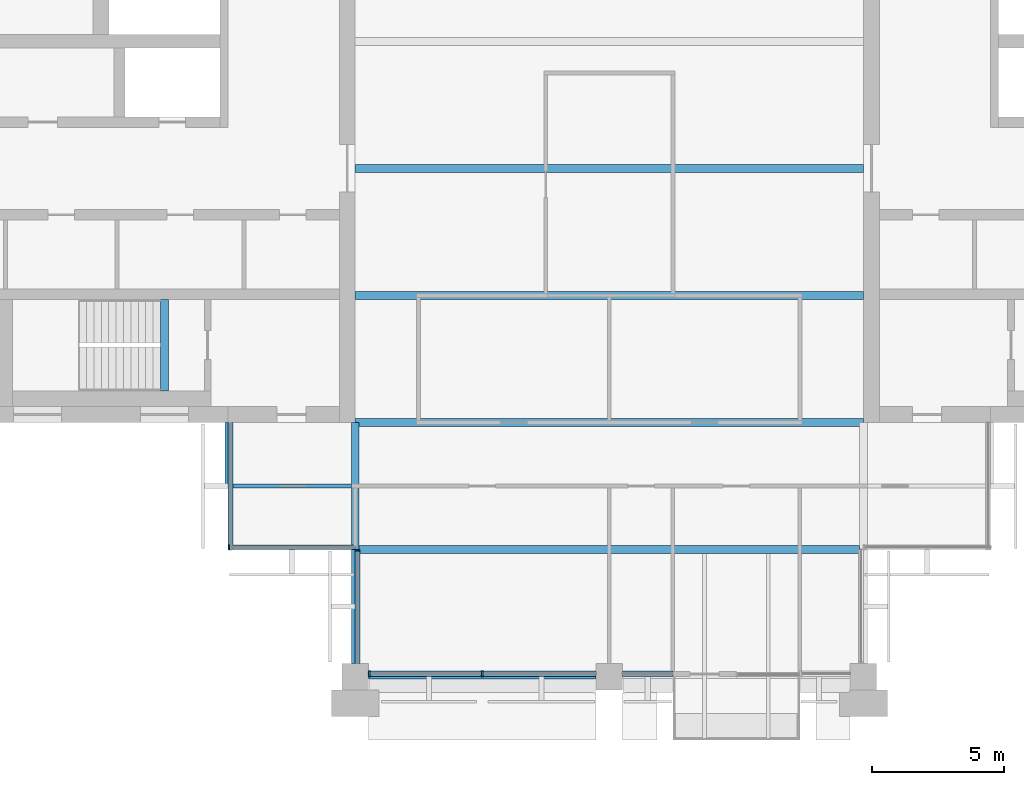
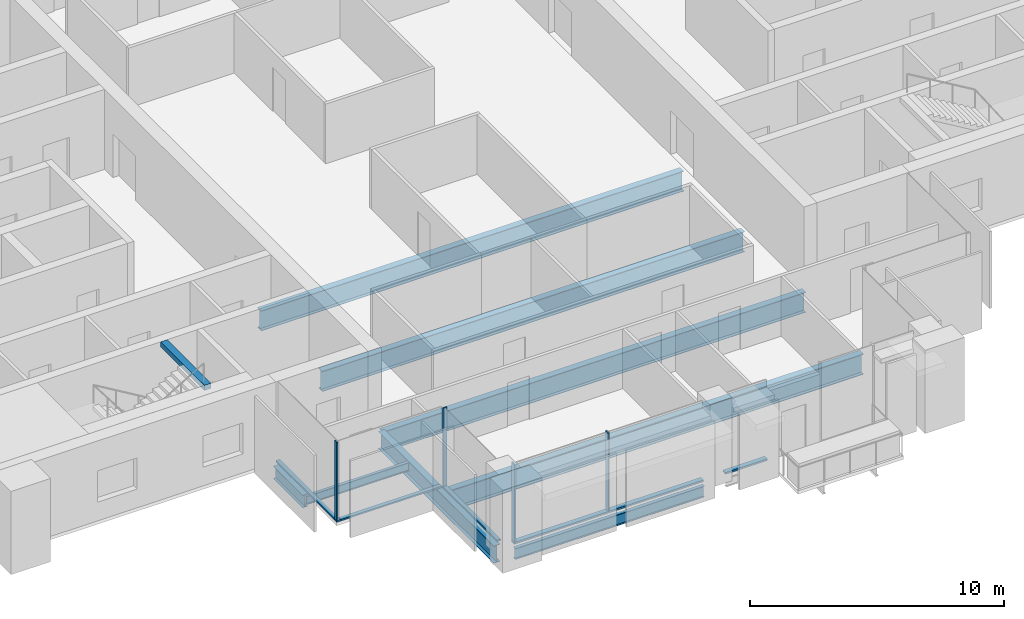
# One storey, part 2 of 13: 9 beams, 9 members, 4 elements without a shape of their own.
"""IFC4 building model written with IfcOpenShell, lengths in metres."""

from ifc_helpers import new_model, si_unit, direction, frame, origin, origin_2d, place, context, subcontext, project, spatial, rectangle, i_section, extrude, material, material_profile, profile_set, type_object, element, aggregate, save


model = new_model("IFC4")

# Units and contexts
model_context = context("Model", 3, precision=1e-05, world=origin(), true_north=direction((0.0, 1.0)))
body_context = subcontext(model_context, "Body", "Model", "MODEL_VIEW")
ifc_project = project(units=[si_unit("LENGTHUNIT", "METRE"), si_unit("AREAUNIT", "SQUARE_METRE"), si_unit("VOLUMEUNIT", "CUBIC_METRE"), si_unit("PLANEANGLEUNIT", "RADIAN"), si_unit("MASSUNIT", "GRAM", prefix="KILO")], contexts=[model_context])

# Site, building, storey
site_placement = place(None, origin())
site = spatial("IfcSite", under=ifc_project, at=site_placement, CompositionType="ELEMENT")
building_placement = place(site_placement, origin())
building = spatial("IfcBuilding", under=site, at=building_placement, Name="Baori Bourse Tower", CompositionType="ELEMENT")
storey_placement = place(building_placement, frame((0.0, 0.0, 302.300048828125)))
storey = spatial("IfcBuildingStorey", under=building, at=storey_placement, Name="L66", CompositionType="ELEMENT", Elevation=302.300048828125)

# Curtain wall, member
ifc_material_1 = material(Name="Pale anodised aluminium", Category="aluminium")
curtain_wall_type_1 = type_object("IfcCurtainWallType", Name="CW2 Curtain wall", PredefinedType="NOTDEFINED", material=ifc_material_1)
curtain_wall_1_placement = place(storey_placement, origin())
curtain_wall_1 = element("IfcCurtainWall", 1, at=curtain_wall_1_placement, inside=storey, type_object=curtain_wall_type_1, Name="Curtain wall CW2 L66 11", PredefinedType="NOTDEFINED")
ifc_material_2 = material(Name="Pale anodised aluminium", Category="aluminium")
ifc_material_profile_1 = material_profile(ifc_material_2, rectangle(XDim=0.179931640625, YDim=0.054931640625, at=origin_2d()), Name="Mullion 55x180")
ifc_profile_set_1 = profile_set([ifc_material_profile_1], Name="Pale anodised aluminium")
member_type_1 = type_object("IfcMemberType", Name="CW2 Curtain wall mullion", PredefinedType="MULLION", material=ifc_profile_set_1)
member_1_placement = place(storey_placement, frame((14.427490234375, 4.889892578125, 0.070068359375), z_axis=(0.0, 0.0, 1.0), x_axis=(0.0, 1.0, 0.0)))
member_1 = element("IfcMember", 2, at=member_1_placement, type_object=member_type_1, Name="Curtain wall CW2 mullion", PredefinedType="MULLION", context=body_context, shape_type="SweptSolid", body=[
    extrude(rectangle(XDim=0.179931640625, YDim=0.054931640625, at=origin_2d()), origin(), (0.0, 0.0, 1.0), 3.769775390625),
])

curtain_wall_2_placement = place(storey_placement, origin())
curtain_wall_2 = element("IfcCurtainWall", 3, at=curtain_wall_2_placement, inside=storey, type_object=curtain_wall_type_1, Name="Curtain wall CW2 L66 12", PredefinedType="NOTDEFINED")
member_2_placement = place(storey_placement, frame((19.2900390625, 4.7724609375, 0.070068359375), z_axis=(0.0, 0.0, 1.0), x_axis=(1.0, 0.0, 0.0)))
member_2 = element("IfcMember", 4, at=member_2_placement, type_object=member_type_1, Name="Curtain wall CW2 mullion", PredefinedType="MULLION", context=body_context, shape_type="SweptSolid", body=[
    extrude(rectangle(XDim=0.179931640625, YDim=0.054931640625, at=origin_2d()), origin(), (0.0, 0.0, 1.0), 3.769775390625),
])

curtain_wall_3_placement = place(storey_placement, origin())
curtain_wall_3 = element("IfcCurtainWall", 5, at=curtain_wall_3_placement, inside=storey, type_object=curtain_wall_type_1, Name="Curtain wall CW2 L66 10", PredefinedType="NOTDEFINED")
ifc_material_3 = material(Name="Pale anodised aluminium", Category="aluminium")
ifc_material_profile_2 = material_profile(ifc_material_3, rectangle(XDim=0.179931640625, YDim=0.070068359375, at=origin_2d()), Name="Transom 70x180")
ifc_profile_set_2 = profile_set([ifc_material_profile_2], Name="Pale anodised aluminium")
member_type_2 = type_object("IfcMemberType", Name="CW2 Curtain wall transom", PredefinedType="USERDEFINED", material=ifc_profile_set_2)
member_3_placement = place(storey_placement, frame((14.489990234375, 9.60009765625, 0.034912109375), z_axis=(0.0, -1.0, 0.0), x_axis=(1.0, 0.0, 0.0)))
member_3 = element("IfcMember", 6, at=member_3_placement, type_object=member_type_2, Name="Curtain wall CW2 sill rail", ObjectType="TRANSOM", PredefinedType="USERDEFINED", context=body_context, shape_type="SweptSolid", body=[
    extrude(rectangle(XDim=0.179931640625, YDim=0.070068359375, at=origin_2d()), origin(), (0.0, 0.0, 1.0), 4.800048828125),
])
aggregate(curtain_wall_3, [member_3])

# Member
member_4_placement = place(storey_placement, frame((14.39990234375, 4.889892578125, 0.034912109375), z_axis=(1.0, 0.0, 0.0), x_axis=(0.0, 1.0, 0.0)))
member_4 = element("IfcMember", 7, at=member_4_placement, type_object=member_type_2, Name="Curtain wall CW2 sill rail", ObjectType="TRANSOM", PredefinedType="USERDEFINED", context=body_context, shape_type="SweptSolid", body=[
    extrude(rectangle(XDim=0.179931640625, YDim=0.070068359375, at=origin_2d()), origin(), (0.0, 0.0, 1.0), 4.800048828125),
])

aggregate(curtain_wall_1, [member_4, member_1])

member_5_placement = place(storey_placement, frame((19.2900390625, 4.800048828125, 0.034912109375), z_axis=(0.0, -1.0, 0.0), x_axis=(1.0, 0.0, 0.0)))
member_5 = element("IfcMember", 8, at=member_5_placement, type_object=member_type_2, Name="Curtain wall CW2 sill rail", ObjectType="TRANSOM", PredefinedType="USERDEFINED", context=body_context, shape_type="SweptSolid", body=[
    extrude(rectangle(XDim=0.179931640625, YDim=0.070068359375, at=origin_2d()), origin(), (0.0, 0.0, 1.0), 4.300048828125),
])

aggregate(curtain_wall_2, [member_5, member_2])

# Curtain wall, members
ifc_material_4 = material(Name="Pale anodised aluminium", Category="aluminium")
curtain_wall_type_2 = type_object("IfcCurtainWallType", Name="CW5 Curtain wall", PredefinedType="NOTDEFINED", material=ifc_material_4)
curtain_wall_4_placement = place(storey_placement, origin())
curtain_wall_4 = element("IfcCurtainWall", 9, at=curtain_wall_4_placement, inside=storey, type_object=curtain_wall_type_2, Name="Curtain wall CW5 L66 13", PredefinedType="NOTDEFINED")
ifc_material_5 = material(Name="Pale anodised aluminium", Category="aluminium")
ifc_material_profile_3 = material_profile(ifc_material_5, rectangle(XDim=0.219970703125, YDim=0.06494140625, at=origin_2d()), Name="Mullion 65x220")
ifc_profile_set_3 = profile_set([ifc_material_profile_3], Name="Pale anodised aluminium")
member_type_3 = type_object("IfcMemberType", Name="CW5 Curtain wall mullion", PredefinedType="MULLION", material=ifc_profile_set_3)
member_6_placement = place(storey_placement, frame((19.732421875, 0.110107421875, 0.0849609375), z_axis=(0.0, 0.0, 1.0), x_axis=(0.0, 1.0, 0.0)))
member_6 = element("IfcMember", 10, at=member_6_placement, type_object=member_type_3, Name="Curtain wall CW5 mullion", PredefinedType="MULLION", context=body_context, shape_type="SweptSolid", body=[
    extrude(rectangle(XDim=0.219970703125, YDim=0.06494140625, at=origin_2d()), origin(), (0.0, 0.0, 1.0), 3.7548828125),
])
member_7_placement = place(storey_placement, frame((24.0, 0.110107421875, 0.0849609375), z_axis=(0.0, 0.0, 1.0), x_axis=(0.0, 1.0, 0.0)))
member_7 = element("IfcMember", 11, at=member_7_placement, type_object=member_type_3, Name="Curtain wall CW5 mullion", PredefinedType="MULLION", context=body_context, shape_type="SweptSolid", body=[
    extrude(rectangle(XDim=0.219970703125, YDim=0.06494140625, at=origin_2d()), origin(), (0.0, 0.0, 1.0), 3.7548828125),
])
ifc_material_6 = material(Name="Pale anodised aluminium", Category="aluminium")
ifc_material_profile_4 = material_profile(ifc_material_6, rectangle(XDim=0.219970703125, YDim=0.0849609375, at=origin_2d()), Name="Transom 85x220")
ifc_profile_set_4 = profile_set([ifc_material_profile_4], Name="Pale anodised aluminium")
member_type_4 = type_object("IfcMemberType", Name="CW5 Curtain wall transom", PredefinedType="USERDEFINED", material=ifc_profile_set_4)
member_8_placement = place(storey_placement, frame((19.699951171875, 0.110107421875, 0.04248046875), z_axis=(1.0, 0.0, 0.0), x_axis=(0.0, 1.0, 0.0)))
member_8 = element("IfcMember", 12, at=member_8_placement, type_object=member_type_4, Name="Curtain wall CW5 sill rail", ObjectType="TRANSOM", PredefinedType="USERDEFINED", context=body_context, shape_type="SweptSolid", body=[
    extrude(rectangle(XDim=0.219970703125, YDim=0.0849609375, at=origin_2d()), origin(), (0.0, 0.0, 1.0), 8.60009765625),
])
member_9_placement = place(storey_placement, frame((29.300048828125, 0.110107421875, 0.04248046875), z_axis=(1.0, 0.0, 0.0), x_axis=(0.0, 1.0, 0.0)))
member_9 = element("IfcMember", 13, at=member_9_placement, type_object=member_type_4, Name="Curtain wall CW5 sill rail", ObjectType="TRANSOM", PredefinedType="USERDEFINED", context=body_context, shape_type="SweptSolid", body=[
    extrude(rectangle(XDim=0.219970703125, YDim=0.0849609375, at=origin_2d()), origin(), (0.0, 0.0, 1.0), 1.89990234375),
])
aggregate(curtain_wall_4, [member_8, member_6, member_7, member_9])

# Beams
ifc_material_7 = material(Name="Steel A992 Gr 50", Category="steel")
ifc_material_profile_5 = material_profile(ifc_material_7, i_section(OverallWidth=0.227783203125, OverallDepth=0.60205078125, WebThickness=0.010498046875, FlangeThickness=0.014892578125, at=origin_2d()), Name="W24x68")
ifc_profile_set_5 = profile_set([ifc_material_profile_5], Name="Steel A992 Gr 50")
beam_type_1 = type_object("IfcBeamType", Name="Core bracket W24x68", PredefinedType="BEAM", material=ifc_profile_set_5)
beam_1_placement = place(storey_placement, frame((14.39990234375, 7.270263671875, -0.4609375), z_axis=(0.0, 1.0, 0.0), x_axis=(-1.0, 0.0, 0.0)))
element("IfcBeam", 14, at=beam_1_placement, inside=storey, type_object=beam_type_1, Name="Core bracket L66", PredefinedType="BEAM", context=body_context, shape_type="SweptSolid", body=[
    extrude(i_section(OverallWidth=0.227783203125, OverallDepth=0.60205078125, WebThickness=0.010498046875, FlangeThickness=0.014892578125, at=origin_2d()), origin(), (0.0, 0.0, 1.0), 2.329833984375),
])
ifc_material_8 = material(Name="Steel A992 Gr 50", Category="steel")
ifc_material_profile_6 = material_profile(ifc_material_8, i_section(OverallWidth=0.1650390625, OverallDepth=0.52587890625, WebThickness=0.0087890625, FlangeThickness=0.011474609375, at=origin_2d()), Name="W21x44")
ifc_profile_set_6 = profile_set([ifc_material_profile_6], Name="Steel A992 Gr 50")
beam_type_2 = type_object("IfcBeamType", Name="Edge beam W21x44", PredefinedType="BEAM", material=ifc_profile_set_6)
beam_2_placement = place(storey_placement, frame((19.699951171875, 0.0, -0.4228515625), z_axis=(1.0, 0.0, 0.0), x_axis=(0.0, 1.0, 0.0)))
element("IfcBeam", 15, at=beam_2_placement, inside=storey, type_object=beam_type_2, Name="Edge beam L66", PredefinedType="BEAM", context=body_context, shape_type="SweptSolid", body=[
    extrude(i_section(OverallWidth=0.1650390625, OverallDepth=0.52587890625, WebThickness=0.0087890625, FlangeThickness=0.011474609375, at=origin_2d()), origin(), (0.0, 0.0, 1.0), 8.60009765625),
])
ifc_material_9 = material(Name="Steel A992 Gr 50", Category="steel")
ifc_material_profile_7 = material_profile(ifc_material_9, i_section(OverallWidth=0.2998046875, OverallDepth=0.97021484375, WebThickness=0.01611328125, FlangeThickness=0.02099609375, at=origin_2d()), Name="W40x149")
ifc_profile_set_7 = profile_set([ifc_material_profile_7], Name="Steel A992 Gr 50")
beam_type_3 = type_object("IfcBeamType", Name="Floor beam W40x149", PredefinedType="BEAM", material=ifc_profile_set_7)
for number, where, z_axis, x_axis, name in (
    (16, (19.199951171875, 9.60009765625, -0.645263671875), (1.0, 0.0, 0.0), (0.0, 1.0, 0.0), "Floor beam L66"),
    (17, (19.199951171875, 14.39990234375, -0.645263671875), (1.0, 0.0, 0.0), (0.0, 1.0, 0.0), "Floor beam L66"),
    (18, (19.199951171875, 19.199951171875, -0.645263671875), (1.0, 0.0, 0.0), (0.0, 1.0, 0.0), "Floor beam L66"),
):
    element("IfcBeam", number, at=place(storey_placement, frame(where, z_axis=z_axis, x_axis=x_axis)), inside=storey, type_object=beam_type_3, Name=name, PredefinedType="BEAM", context=body_context, shape_type="SweptSolid", body=[
        extrude(i_section(OverallWidth=0.2998046875, OverallDepth=0.97021484375, WebThickness=0.01611328125, FlangeThickness=0.02099609375, at=origin_2d()), origin(), (0.0, 0.0, 1.0), 19.199951171875),
    ])
ifc_material_10 = material(Name="Steel A992 Gr 50", Category="steel")
ifc_material_profile_8 = material_profile(ifc_material_10, i_section(OverallWidth=0.2998046875, OverallDepth=0.990478515625, WebThickness=0.0166015625, FlangeThickness=0.030517578125, at=origin_2d()), Name="W40x183")
ifc_profile_set_8 = profile_set([ifc_material_profile_8], Name="Steel A992 Gr 50")
beam_type_4 = type_object("IfcBeamType", Name="Floor beam W40x183", PredefinedType="BEAM", material=ifc_profile_set_8)
beam_3_placement = place(storey_placement, frame((19.345947265625, 4.800048828125, -0.6552734375), z_axis=(1.0, 0.0, 0.0), x_axis=(0.0, 1.0, 0.0)))
element("IfcBeam", 19, at=beam_3_placement, inside=storey, type_object=beam_type_4, Name="Floor beam L66", PredefinedType="BEAM", context=body_context, shape_type="SweptSolid", body=[
    extrude(i_section(OverallWidth=0.2998046875, OverallDepth=0.990478515625, WebThickness=0.0166015625, FlangeThickness=0.030517578125, at=origin_2d()), origin(), (0.0, 0.0, 1.0), 18.901611328125),
])
ifc_material_11 = material(Name="Steel A992 Gr 50", Category="steel")
ifc_material_profile_9 = material_profile(ifc_material_11, i_section(OverallWidth=0.2919921875, OverallDepth=0.835693359375, WebThickness=0.013916015625, FlangeThickness=0.018798828125, at=origin_2d()), Name="W33x118")
ifc_profile_set_9 = profile_set([ifc_material_profile_9], Name="Steel A992 Gr 50")
beam_type_5 = type_object("IfcBeamType", Name="Girder W33x118", PredefinedType="BEAM", material=ifc_profile_set_9)
beam_4_placement = place(storey_placement, frame((19.199951171875, 0.5, -0.577880859375), z_axis=(0.0, 1.0, 0.0), x_axis=(-1.0, 0.0, 0.0)))
element("IfcBeam", 20, at=beam_4_placement, inside=storey, type_object=beam_type_5, Name="Girder L66", PredefinedType="BEAM", context=body_context, shape_type="SweptSolid", body=[
    extrude(i_section(OverallWidth=0.2919921875, OverallDepth=0.835693359375, WebThickness=0.013916015625, FlangeThickness=0.018798828125, at=origin_2d()), origin(), (0.0, 0.0, 1.0), 9.10009765625),
])
ifc_material_12 = material(Name="Concrete f'c 50 MPa", Category="concrete")
ifc_material_profile_10 = material_profile(ifc_material_12, rectangle(XDim=0.300048828125, YDim=0.25, at=origin_2d()), Name="RC 300x250")
ifc_profile_set_10 = profile_set([ifc_material_profile_10], Name="Concrete f'c 50 MPa")
beam_type_6 = type_object("IfcBeamType", Name="Stair nib beam RC 300x250", PredefinedType="BEAM", material=ifc_profile_set_10)
beam_5_placement = place(storey_placement, frame((12.0, 10.800048828125, 3.71484375), z_axis=(0.0, 1.0, 0.0), x_axis=(-1.0, 0.0, 0.0)))
element("IfcBeam", 21, at=beam_5_placement, inside=storey, type_object=beam_type_6, Name="Stair WA nib beam L67", PredefinedType="BEAM", context=body_context, shape_type="SweptSolid", body=[
    extrude(rectangle(XDim=0.300048828125, YDim=0.25, at=origin_2d()), origin(), (0.0, 0.0, 1.0), 3.449951171875),
])
ifc_material_13 = material(Name="Steel A992 Gr 50", Category="steel")
ifc_material_profile_11 = material_profile(ifc_material_13, i_section(OverallWidth=0.140380859375, OverallDepth=0.40380859375, WebThickness=0.007080078125, FlangeThickness=0.01123046875, at=origin_2d()), Name="W16x31")
ifc_profile_set_11 = profile_set([ifc_material_profile_11], Name="Steel A992 Gr 50")
beam_type_7 = type_object("IfcBeamType", Name="Trimmer beam W16x31", PredefinedType="BEAM", material=ifc_profile_set_11)
beam_6_placement = place(storey_placement, frame((14.39990234375, 7.199951171875, -0.362060546875), z_axis=(1.0, 0.0, 0.0), x_axis=(0.0, 1.0, 0.0)))
element("IfcBeam", 22, at=beam_6_placement, inside=storey, type_object=beam_type_7, Name="Trimmer beam L66", PredefinedType="BEAM", context=body_context, shape_type="SweptSolid", body=[
    extrude(i_section(OverallWidth=0.140380859375, OverallDepth=0.40380859375, WebThickness=0.007080078125, FlangeThickness=0.01123046875, at=origin_2d()), origin(), (0.0, 0.0, 1.0), 4.654052734375),
])

save(model, "model.ifc")
